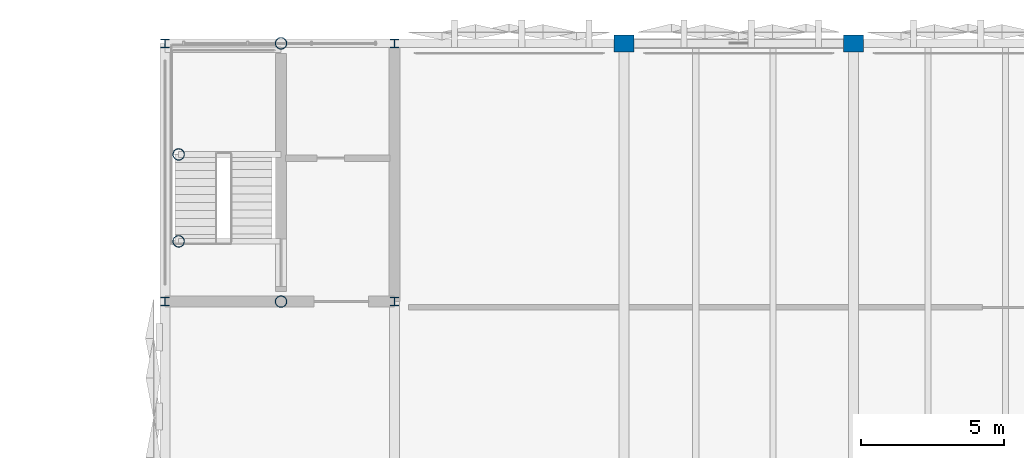
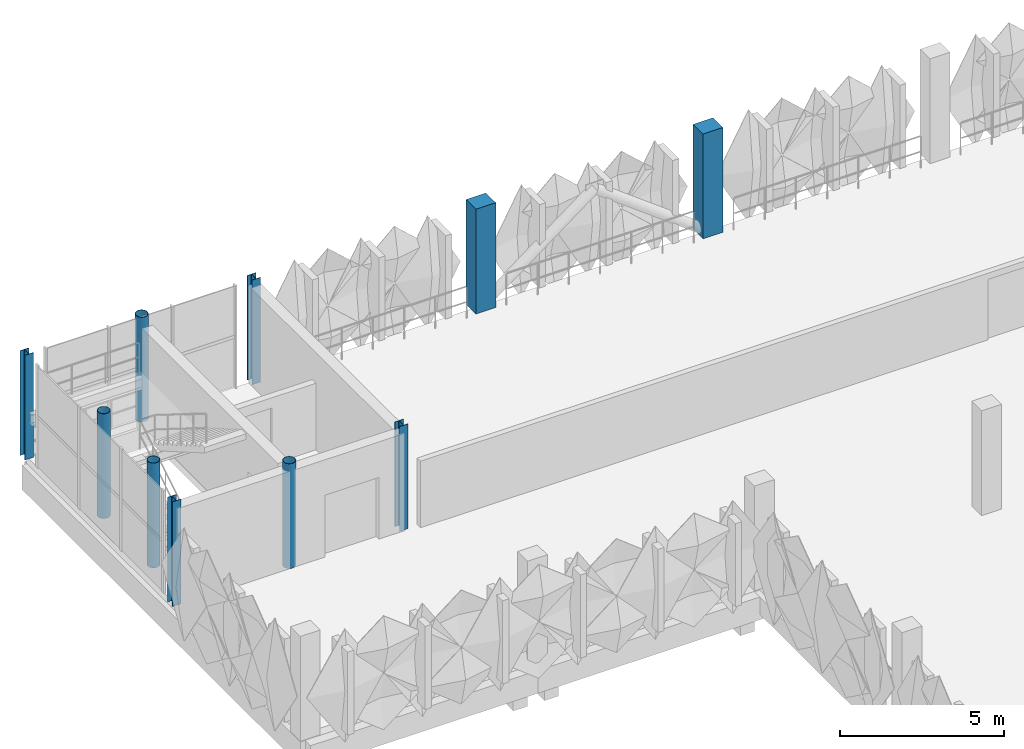
# One storey, part 2 of 52: 10 columns.
"""IFC4 building model written with IfcOpenShell, lengths in metres."""

import ifcopenshell
import ifcopenshell.guid

model = None  # the IFC model being written
_history = None  # IfcOwnerHistory: only IFC2X3 demands one
_inside = {}  # id of a spatial element -> (the spatial element, [elements in it])
_under = {}  # id of a project, library or spatial element -> (it, [spatial elements below it])
_declared = {}  # id of a project -> (the project, [libraries it declares])
_typed = {}  # id of a type object -> (the type object, [elements of that type])
_made_of = {}  # id of a material, layer set ... -> (it, [elements and type objects made of it])


def new_model(schema):
    """Start an empty IFC model of exactly this schema.

    Asked for "IFC4X3", IfcOpenShell would pick the latest addendum, in which some entities
    have other attributes; the version numbers below select the first issue.
    IFC2X3 requires an IfcOwnerHistory on every rooted entity: one is made here for all.
    """
    global model, _history
    if schema == "IFC4X3":
        model = ifcopenshell.file(schema_version=(4, 3, 0, 0))
    else:
        model = ifcopenshell.file(schema=schema)
    _inside.clear()
    _under.clear()
    _declared.clear()
    _typed.clear()
    _made_of.clear()
    _history = None
    if model.schema == "IFC2X3":
        org = make("IfcOrganization", Name="unknown")
        user = make(
            "IfcPersonAndOrganization",
            ThePerson=make("IfcPerson", FamilyName="unknown"),
            TheOrganization=org,
        )
        app = make(
            "IfcApplication",
            ApplicationDeveloper=org,
            Version="unknown",
            ApplicationFullName="unknown",
            ApplicationIdentifier="unknown",
        )
        _history = make(
            "IfcOwnerHistory",
            OwningUser=user,
            OwningApplication=app,
            ChangeAction="ADDED",
            CreationDate=0,
        )
    return model


def make(cls, **values):
    """One entity of the class cls with the attributes given. An attribute that is None is left unset."""
    return model.create_entity(
        cls, **{name: value for name, value in values.items() if value is not None}
    )


def rooted(cls, **values):
    """An entity with a GlobalId (a new one), such as an element, a storey or a relation."""
    return make(cls, GlobalId=ifcopenshell.guid.new(), OwnerHistory=_history, **values)


def si_unit(unit_type, name, prefix=None):
    """IfcSIUnit, for example si_unit("LENGTHUNIT", "METRE", prefix="MILLI")."""
    return make("IfcSIUnit", UnitType=unit_type, Prefix=prefix, Name=name)


def derived_unit(unit_type, elements):
    """IfcDerivedUnit: a product of units, each with its exponent."""
    return make(
        "IfcDerivedUnit",
        Elements=[
            make("IfcDerivedUnitElement", Unit=unit, Exponent=power)
            for unit, power in elements
        ],
        UnitType=unit_type,
    )


def assignment(units):
    """IfcUnitAssignment: the units of a project."""
    return None if units is None else make("IfcUnitAssignment", Units=units)


def point(xyz):
    """IfcCartesianPoint."""
    return None if xyz is None else make("IfcCartesianPoint", Coordinates=xyz)


def direction(xyz):
    """IfcDirection."""
    return None if xyz is None else make("IfcDirection", DirectionRatios=xyz)


def frame(location, z_axis=None, x_axis=None):
    """IfcAxis2Placement3D, a coordinate frame: its origin and axes. An axis left out is left unset."""
    return make(
        "IfcAxis2Placement3D",
        Location=point(location),
        Axis=direction(z_axis),
        RefDirection=direction(x_axis),
    )


def frame_2d(location, x_axis=None):
    """IfcAxis2Placement2D, a coordinate frame in the plane: its origin and x axis."""
    return make(
        "IfcAxis2Placement2D", Location=point(location), RefDirection=direction(x_axis)
    )


def origin():
    """The frame at (0, 0, 0) with its axes left unset."""
    return frame((0.0, 0.0, 0.0))


def origin_2d():
    """The frame at (0, 0) in the plane with its x axis left unset."""
    return frame_2d((0.0, 0.0))


def place(relative_to, where):
    """IfcLocalPlacement: puts the frame where relative to a parent placement (None: the world)."""
    return make(
        "IfcLocalPlacement", PlacementRelTo=relative_to, RelativePlacement=where
    )


def context(
    kind, dimensions, precision=None, world=None, true_north=None, identifier=None
):
    """IfcGeometricRepresentationContext, for example the 3D "Model" context."""
    return make(
        "IfcGeometricRepresentationContext",
        ContextIdentifier=identifier,
        ContextType=kind,
        CoordinateSpaceDimension=dimensions,
        Precision=precision,
        WorldCoordinateSystem=world,
        TrueNorth=true_north,
    )


def subcontext(parent, identifier, kind, view, scale=None):
    """IfcGeometricRepresentationSubContext, for example "Body" below "Model"."""
    return make(
        "IfcGeometricRepresentationSubContext",
        ContextIdentifier=identifier,
        ContextType=kind,
        ParentContext=parent,
        TargetScale=scale,
        TargetView=view,
    )


def project(units=None, contexts=None):
    """IfcProject with its units and contexts."""
    return rooted(
        "IfcProject",
        Name="project",
        RepresentationContexts=contexts,
        UnitsInContext=assignment(units),
    )


def spatial(cls, under=None, at=None, **own):
    """A site, building, storey or space (cls), placed at a placement, below another one or the project."""
    s = rooted(cls, ObjectPlacement=at, **own)
    if under is not None:
        _under.setdefault(under.id(), (under, []))[1].append(s)
    return s


def profile(cls, at=None, kind="AREA", **sizes):
    """A parametric profile (cls). Its sizes go by their IFC names, for example OverallWidth=200.0."""
    return make(cls, ProfileType=kind, Position=at, **sizes)


def rectangle(**sizes):
    """IfcRectangleProfileDef."""
    return profile("IfcRectangleProfileDef", **sizes)


def hollow_circle(**sizes):
    """IfcCircleHollowProfileDef."""
    return profile("IfcCircleHollowProfileDef", **sizes)


def i_section(**sizes):
    """IfcIShapeProfileDef."""
    return profile("IfcIShapeProfileDef", **sizes)


def extrude(swept, where, along, depth):
    """IfcExtrudedAreaSolid: the profile swept, set in the frame where, extruded along a direction by depth."""
    return make(
        "IfcExtrudedAreaSolid",
        SweptArea=swept,
        Position=where,
        ExtrudedDirection=direction(along),
        Depth=depth,
    )


def shape(context_of_items, identifier, shape_type, items):
    """IfcShapeRepresentation: the items that make up one representation, for example the "Body"."""
    return make(
        "IfcShapeRepresentation",
        ContextOfItems=context_of_items,
        RepresentationIdentifier=identifier,
        RepresentationType=shape_type,
        Items=items,
    )


def material(Name=None, Category=None):
    """IfcMaterial."""
    return make("IfcMaterial", Name=Name, Category=Category)


def material_profile(
    of_material, cross_section, Name=None, Category=None, Priority=None
):
    """IfcMaterialProfile: a cross section and its material."""
    return make(
        "IfcMaterialProfile",
        Name=Name,
        Material=of_material,
        Profile=cross_section,
        Priority=Priority,
        Category=Category,
    )


def profile_set(profiles, Name=None, composite=None):
    """IfcMaterialProfileSet."""
    return make(
        "IfcMaterialProfileSet",
        Name=Name,
        MaterialProfiles=profiles,
        CompositeProfile=composite,
    )


def made_of(thing, what):
    """Note that an element or type object is made of a material, layer set ...; save() writes the relation."""
    if what is not None:
        _made_of.setdefault(what.id(), (what, []))[1].append(thing)
    return thing


def type_object(cls, material=None, **own):
    """A type object (cls), such as IfcWallType, which elements share."""
    return made_of(rooted(cls, **own), material)


def element(
    cls,
    number,
    at=None,
    inside=None,
    cuts=None,
    type_object=None,
    material=None,
    context=None,
    identifier="Body",
    shape_type=None,
    held_by="IfcProductDefinitionShape",
    body=None,
    shapes=None,
    **own,
):
    """One element of the class cls, such as IfcWall. Its Tag is "e" and its number.

    at: its placement. inside: the storey or other place that contains it. cuts: it is an
    opening in that element (IfcRelVoidsElement). A single representation is given by context,
    identifier, shape_type and body (its items); several are given by shapes. held_by: the class
    of the entity that holds the representations. save() writes the other relations.
    """
    e = rooted(cls, Tag="e%d" % number, ObjectPlacement=at, **own)
    if body is not None:
        shapes = [shape(context, identifier, shape_type, body)]
    if shapes is not None:
        e.Representation = make(held_by, Representations=shapes)
    if inside is not None:
        _inside.setdefault(inside.id(), (inside, []))[1].append(e)
    if cuts is not None:
        rooted(
            "IfcRelVoidsElement", RelatingBuildingElement=cuts, RelatedOpeningElement=e
        )
    if type_object is not None:
        _typed.setdefault(type_object.id(), (type_object, []))[1].append(e)
    return made_of(e, material)


def aggregate(whole, parts):
    """IfcRelAggregates: a whole, such as a stair, and the parts it consists of."""
    return rooted("IfcRelAggregates", RelatingObject=whole, RelatedObjects=parts)


def save(model, path):
    """Write the relations noted so far, then the file.

    IfcRelAggregates (storeys below a building ...), IfcRelContainedInSpatialStructure (elements
    in a storey), IfcRelDefinesByType, IfcRelAssociatesMaterial and IfcRelDeclares: one each for
    every whole, place, type object, material and project.
    """
    for whole, parts in _under.values():
        aggregate(whole, parts)
    for where, things in _inside.values():
        rooted(
            "IfcRelContainedInSpatialStructure",
            RelatedElements=things,
            RelatingStructure=where,
        )
    for kind, things in _typed.values():
        rooted("IfcRelDefinesByType", RelatedObjects=things, RelatingType=kind)
    for what, things in _made_of.values():
        rooted("IfcRelAssociatesMaterial", RelatedObjects=things, RelatingMaterial=what)
    for by, libraries in _declared.values():
        rooted("IfcRelDeclares", RelatingContext=by, RelatedDefinitions=libraries)
    model.write(path)


model = new_model("IFC4")

# Units and contexts
model_context = context("Model", 3, precision=1e-05, world=origin(), true_north=direction((0.0, 1.0)))
body_context = subcontext(model_context, "Body", "Model", "MODEL_VIEW")
ifc_project = project(units=[si_unit("LENGTHUNIT", "METRE"), si_unit("AREAUNIT", "SQUARE_METRE"), si_unit("VOLUMEUNIT", "CUBIC_METRE"), si_unit("PLANEANGLEUNIT", "RADIAN"), si_unit("MASSUNIT", "GRAM", prefix="KILO"), si_unit("THERMODYNAMICTEMPERATUREUNIT", "KELVIN"), derived_unit("THERMALTRANSMITTANCEUNIT", [(si_unit("POWERUNIT", "WATT"), 1), (si_unit("AREAUNIT", "SQUARE_METRE"), -1), (si_unit("THERMODYNAMICTEMPERATUREUNIT", "KELVIN"), -1)])], contexts=[model_context])

# Site, building, storey
site_placement = place(None, origin())
site = spatial("IfcSite", under=ifc_project, at=site_placement, CompositionType="ELEMENT")
building_placement = place(site_placement, origin())
building = spatial("IfcBuilding", under=site, at=building_placement, Name="Haiyu Intermodal Mobility Hub", CompositionType="ELEMENT")
storey_placement = place(building_placement, frame((0.0, 0.0, 21.199951171875)))
storey = spatial("IfcBuildingStorey", under=building, at=storey_placement, Name="L05", CompositionType="ELEMENT", Elevation=21.199951171875)

# Columns
ifc_material_1 = material(Name="Precast concrete C40", Category="concrete")
ifc_material_profile_1 = material_profile(ifc_material_1, rectangle(XDim=0.699951171875, YDim=0.60009765625, at=origin_2d()), Name="C700x600")
ifc_profile_set_1 = profile_set([ifc_material_profile_1], Name="Precast concrete C40")
column_type_1 = type_object("IfcColumnType", Name="COL-CC21-EXT", PredefinedType="COLUMN", material=ifc_profile_set_1)
for number, where, z_axis, x_axis, name in (
    (1, (38.0, 148.0, 0.0), (0.0, 0.0, 1.0), (1.0, 0.0, 0.0), "Column V4-4S L05"),
    (2, (46.0, 148.0, 0.0), (0.0, 0.0, 1.0), (1.0, 0.0, 0.0), "Column V4-5S L05"),
):
    element("IfcColumn", number, at=place(storey_placement, frame(where, z_axis=z_axis, x_axis=x_axis)), inside=storey, type_object=column_type_1, Name=name, PredefinedType="COLUMN", context=body_context, shape_type="SweptSolid", body=[
        extrude(rectangle(XDim=0.699951171875, YDim=0.60009765625, at=origin_2d()), origin(), (0.0, 0.0, 1.0), 3.900146484375),
    ])
ifc_material_2 = material(Name="Steel Q355C", Category="steel")
ifc_material_profile_2 = material_profile(ifc_material_2, hollow_circle(Radius=0.202880859375, WallThickness=0.013916015625, at=origin_2d()), Name="CHS406x14")
ifc_profile_set_2 = profile_set([ifc_material_profile_2], Name="Steel Q355C")
column_type_2 = type_object("IfcColumnType", Name="COL-SC03", PredefinedType="COLUMN", material=ifc_profile_set_2)
for number, where, z_axis, x_axis, name in (
    (3, (26.050048828125, 139.0, 0.0), (0.0, 0.0, 1.0), (1.0, 0.0, 0.0), "Column C3-MS L05"),
    (4, (22.47998046875, 141.10009765625, 0.0), (0.0, 0.0, 1.0), (1.0, 0.0, 0.0), "Column C3-WTP L05"),
    (5, (22.47998046875, 144.1298828125, 0.0), (0.0, 0.0, 1.0), (1.0, 0.0, 0.0), "Column C3-WLP L05"),
):
    element("IfcColumn", number, at=place(storey_placement, frame(where, z_axis=z_axis, x_axis=x_axis)), inside=storey, type_object=column_type_2, Name=name, PredefinedType="COLUMN", context=body_context, shape_type="SweptSolid", body=[
        extrude(hollow_circle(Radius=0.202880859375, WallThickness=0.013916015625, at=origin_2d()), origin(), (0.0, 0.0, 1.0), 3.900146484375),
    ])
ifc_material_profile_3 = material_profile(ifc_material_2, hollow_circle(Radius=0.202880859375, WallThickness=0.013916015625, at=origin_2d()), Name="CHS406x14")
ifc_profile_set_3 = profile_set([ifc_material_profile_3], Name="Steel Q355C")
column_type_3 = type_object("IfcColumnType", Name="COL-SC03-EXT", PredefinedType="COLUMN", material=ifc_profile_set_3)
column_1_placement = place(storey_placement, frame((26.050048828125, 148.0, 0.0), z_axis=(0.0, 0.0, 1.0), x_axis=(1.0, 0.0, 0.0)))
element("IfcColumn", 6, at=column_1_placement, inside=storey, type_object=column_type_3, Name="Column C3-MN L05", PredefinedType="COLUMN", context=body_context, shape_type="SweptSolid", body=[
    extrude(hollow_circle(Radius=0.202880859375, WallThickness=0.013916015625, at=origin_2d()), origin(), (0.0, 0.0, 1.0), 3.900146484375),
])
ifc_material_profile_4 = material_profile(ifc_material_2, i_section(OverallWidth=0.300048828125, OverallDepth=0.300048828125, WebThickness=0.010009765625, FlangeThickness=0.014892578125, FilletRadius=0.01806640625, at=origin_2d()), Name="HW300x300x10x15")
ifc_profile_set_4 = profile_set([ifc_material_profile_4], Name="Steel Q355C")
column_type_4 = type_object("IfcColumnType", Name="COL-SC07", PredefinedType="COLUMN", material=ifc_profile_set_4)
column_2_placement = place(storey_placement, frame((30.0, 139.0, 0.0), z_axis=(0.0, 0.0, 1.0), x_axis=(1.0, 0.0, 0.0)))
element("IfcColumn", 7, at=column_2_placement, inside=storey, type_object=column_type_4, Name="Column C3-SE L05", PredefinedType="COLUMN", context=body_context, shape_type="SweptSolid", body=[
    extrude(i_section(OverallWidth=0.300048828125, OverallDepth=0.300048828125, WebThickness=0.010009765625, FlangeThickness=0.014892578125, FilletRadius=0.01806640625, at=origin_2d()), origin(), (0.0, 0.0, 1.0), 3.900146484375),
])
ifc_material_profile_5 = material_profile(ifc_material_2, i_section(OverallWidth=0.300048828125, OverallDepth=0.300048828125, WebThickness=0.010009765625, FlangeThickness=0.014892578125, FilletRadius=0.01806640625, at=origin_2d()), Name="HW300x300x10x15")
ifc_profile_set_5 = profile_set([ifc_material_profile_5], Name="Steel Q355C")
column_type_5 = type_object("IfcColumnType", Name="COL-SC07-EXT", PredefinedType="COLUMN", material=ifc_profile_set_5)
for number, where, z_axis, x_axis, name in (
    (8, (22.0, 148.0, 0.0), (0.0, 0.0, 1.0), (1.0, 0.0, 0.0), "Column C3-NW L05"),
    (9, (30.0, 148.0, 0.0), (0.0, 0.0, 1.0), (1.0, 0.0, 0.0), "Column C3-NE L05"),
    (10, (22.0, 139.0, 0.0), (0.0, 0.0, 1.0), (1.0, 0.0, 0.0), "Column C3-SW L05"),
):
    element("IfcColumn", number, at=place(storey_placement, frame(where, z_axis=z_axis, x_axis=x_axis)), inside=storey, type_object=column_type_5, Name=name, PredefinedType="COLUMN", context=body_context, shape_type="SweptSolid", body=[
        extrude(i_section(OverallWidth=0.300048828125, OverallDepth=0.300048828125, WebThickness=0.010009765625, FlangeThickness=0.014892578125, FilletRadius=0.01806640625, at=origin_2d()), origin(), (0.0, 0.0, 1.0), 3.900146484375),
    ])

save(model, "model.ifc")
